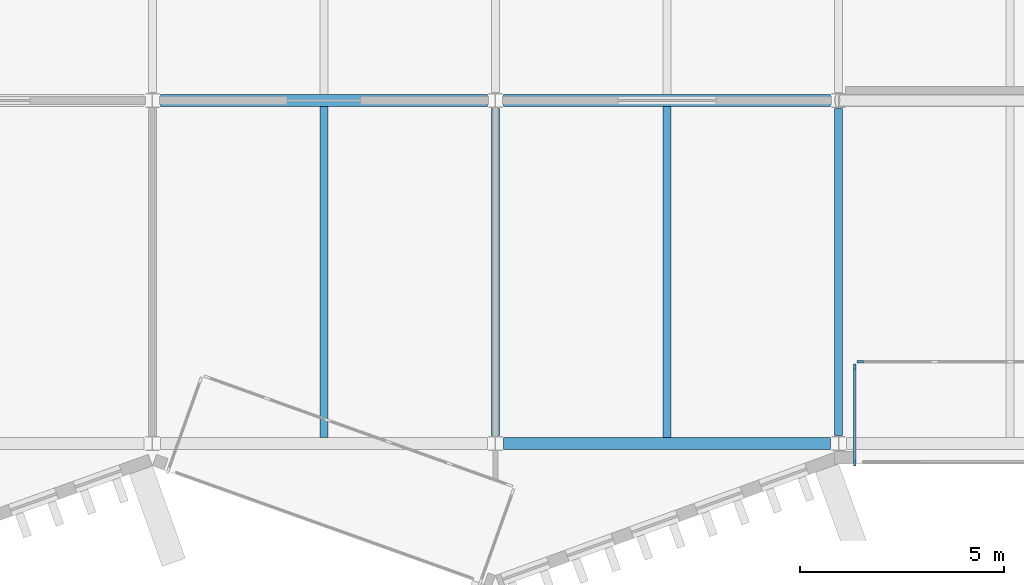
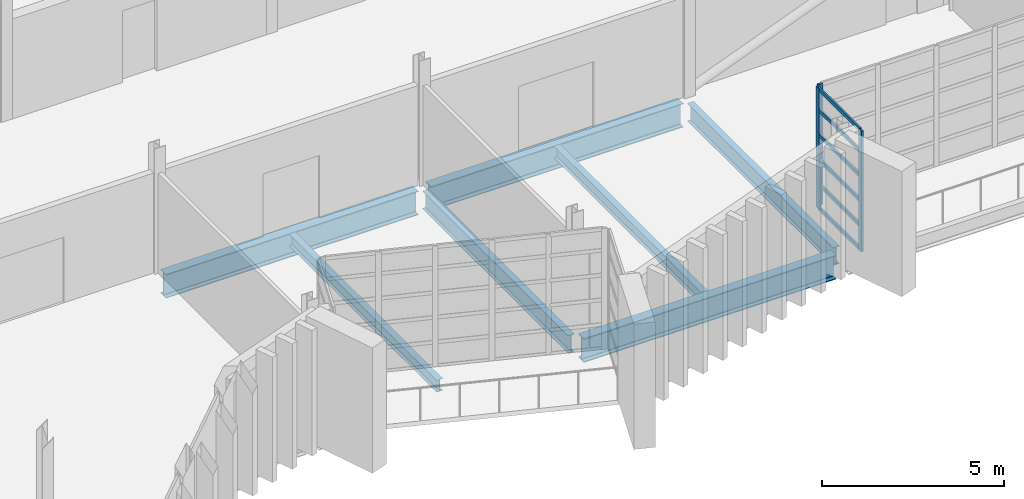
# One storey, part 28 of 96: 9 members, 7 beams, 2 elements without a shape of their own.
"""IFC4 building model written with IfcOpenShell, lengths in metres."""

from ifc_helpers import new_model, si_unit, direction, frame, origin, origin_2d, place, context, subcontext, project, spatial, rectangle, i_section, extrude, material, layer, layer_set, material_profile, profile_set, type_object, element, aggregate, save


model = new_model("IFC4")

# Units and contexts
model_context = context("Model", 3, precision=1e-05, world=origin(), true_north=direction((0.0, 1.0)))
body_context = subcontext(model_context, "Body", "Model", "MODEL_VIEW")
ifc_project = project(units=[si_unit("LENGTHUNIT", "METRE"), si_unit("AREAUNIT", "SQUARE_METRE"), si_unit("VOLUMEUNIT", "CUBIC_METRE"), si_unit("PLANEANGLEUNIT", "RADIAN"), si_unit("MASSUNIT", "GRAM", prefix="KILO")], contexts=[model_context])

# Site, building, storey
site_placement = place(None, origin())
site = spatial("IfcSite", under=ifc_project, at=site_placement, CompositionType="ELEMENT")
building_placement = place(site_placement, origin())
building = spatial("IfcBuilding", under=site, at=building_placement, Name="Cresset Court Congress Hotel", CompositionType="ELEMENT")
storey_placement = place(building_placement, frame((0.0, 0.0, 6.0)))
storey = spatial("IfcBuildingStorey", under=building, at=storey_placement, Name="L01", CompositionType="ELEMENT", Elevation=6.0)

# Curtain wall, member
ifc_material_1 = material(Name="Aluminium frame with double glazing", Category="aluminium")
ifc_layer = layer(ifc_material_1, 0.199951171875)
ifc_layer_set = layer_set([ifc_layer], Name="Glazed box curtain wall 1680 module")
curtain_wall_type = type_object("IfcCurtainWallType", Name="Glazed box curtain wall 1680 module", PredefinedType="NOTDEFINED", material=ifc_layer_set)
curtain_wall_1_placement = place(storey_placement, origin())
curtain_wall_1 = element("IfcCurtainWall", 1, at=curtain_wall_1_placement, inside=storey, type_object=curtain_wall_type, Name="Glazed box S0118 front", PredefinedType="NOTDEFINED")
ifc_material_2 = material(Name="Aluminium", Category="aluminium")
ifc_material_profile_1 = material_profile(ifc_material_2, rectangle(XDim=0.06005859375, YDim=0.159912109375, at=origin_2d()), Name="Box mullion 60x160")
ifc_profile_set_1 = profile_set([ifc_material_profile_1], Name="Aluminium")
member_type_1 = type_object("IfcMemberType", Name="Box mullion 60x160", PredefinedType="MULLION", material=ifc_profile_set_1)
member_1_placement = place(storey_placement, frame((134.929931640625, 2.0, 0.0), z_axis=(0.0, 0.0, 1.0), x_axis=(0.0, 1.0, 0.0)))
member_1 = element("IfcMember", 2, at=member_1_placement, type_object=member_type_1, Name="B-X1 mullion 1", PredefinedType="MULLION", context=body_context, shape_type="SweptSolid", body=[
    extrude(rectangle(XDim=0.06005859375, YDim=0.159912109375, at=origin_2d()), origin(), (0.0, 0.0, 1.0), 4.050048828125),
])
aggregate(curtain_wall_1, [member_1])

# Curtain wall, members
curtain_wall_2_placement = place(storey_placement, origin())
curtain_wall_2 = element("IfcCurtainWall", 3, at=curtain_wall_2_placement, inside=storey, type_object=curtain_wall_type, Name="Glazed box S0118 side", PredefinedType="NOTDEFINED")
member_2_placement = place(storey_placement, frame((134.800048828125, -0.469970703125, 0.0), z_axis=(0.0, 0.0, 1.0), x_axis=(-1.0, 0.0, 0.0)))
member_2 = element("IfcMember", 4, at=member_2_placement, type_object=member_type_1, Name="B-X1 mullion 1", PredefinedType="MULLION", context=body_context, shape_type="SweptSolid", body=[
    extrude(rectangle(XDim=0.06005859375, YDim=0.159912109375, at=origin_2d()), origin(), (0.0, 0.0, 1.0), 4.050048828125),
])
member_3_placement = place(storey_placement, frame((134.800048828125, 1.8701171875, 0.0), z_axis=(0.0, 0.0, 1.0), x_axis=(-1.0, 0.0, 0.0)))
member_3 = element("IfcMember", 5, at=member_3_placement, type_object=member_type_1, Name="B-X1 mullion 2", PredefinedType="MULLION", context=body_context, shape_type="SweptSolid", body=[
    extrude(rectangle(XDim=0.06005859375, YDim=0.159912109375, at=origin_2d()), origin(), (0.0, 0.0, 1.0), 4.050048828125),
])
ifc_material_3 = material(Name="Aluminium", Category="aluminium")
ifc_material_profile_2 = material_profile(ifc_material_3, rectangle(XDim=0.06005859375, YDim=0.1201171875, at=origin_2d()), Name="Box transom 60x120")
ifc_profile_set_2 = profile_set([ifc_material_profile_2], Name="Aluminium")
member_type_2 = type_object("IfcMemberType", Name="Box transom 60x120", PredefinedType="USERDEFINED", material=ifc_profile_set_2)
member_4_placement = place(storey_placement, frame((134.800048828125, -0.43994140625, 0.030029296875), z_axis=(0.0, 1.0, 0.0), x_axis=(-1.0, 0.0, 0.0)))
member_4 = element("IfcMember", 6, at=member_4_placement, type_object=member_type_2, Name="B-X1 transom 1.1", ObjectType="TRANSOM", PredefinedType="USERDEFINED", context=body_context, shape_type="SweptSolid", body=[
    extrude(rectangle(XDim=0.06005859375, YDim=0.1201171875, at=origin_2d()), origin(), (0.0, 0.0, 1.0), 2.280029296875),
])
member_5_placement = place(storey_placement, frame((134.800048828125, -0.43994140625, 0.830078125), z_axis=(0.0, 1.0, 0.0), x_axis=(-1.0, 0.0, 0.0)))
member_5 = element("IfcMember", 7, at=member_5_placement, type_object=member_type_2, Name="B-X1 transom 1.2", ObjectType="TRANSOM", PredefinedType="USERDEFINED", context=body_context, shape_type="SweptSolid", body=[
    extrude(rectangle(XDim=0.06005859375, YDim=0.1201171875, at=origin_2d()), origin(), (0.0, 0.0, 1.0), 2.280029296875),
])
member_6_placement = place(storey_placement, frame((134.800048828125, -0.43994140625, 1.659912109375), z_axis=(0.0, 1.0, 0.0), x_axis=(-1.0, 0.0, 0.0)))
member_6 = element("IfcMember", 8, at=member_6_placement, type_object=member_type_2, Name="B-X1 transom 1.3", ObjectType="TRANSOM", PredefinedType="USERDEFINED", context=body_context, shape_type="SweptSolid", body=[
    extrude(rectangle(XDim=0.06005859375, YDim=0.1201171875, at=origin_2d()), origin(), (0.0, 0.0, 1.0), 2.280029296875),
])
member_7_placement = place(storey_placement, frame((134.800048828125, -0.43994140625, 2.489990234375), z_axis=(0.0, 1.0, 0.0), x_axis=(-1.0, 0.0, 0.0)))
member_7 = element("IfcMember", 9, at=member_7_placement, type_object=member_type_2, Name="B-X1 transom 1.4", ObjectType="TRANSOM", PredefinedType="USERDEFINED", context=body_context, shape_type="SweptSolid", body=[
    extrude(rectangle(XDim=0.06005859375, YDim=0.1201171875, at=origin_2d()), origin(), (0.0, 0.0, 1.0), 2.280029296875),
])
member_8_placement = place(storey_placement, frame((134.800048828125, -0.43994140625, 3.320068359375), z_axis=(0.0, 1.0, 0.0), x_axis=(-1.0, 0.0, 0.0)))
member_8 = element("IfcMember", 10, at=member_8_placement, type_object=member_type_2, Name="B-X1 transom 1.5", ObjectType="TRANSOM", PredefinedType="USERDEFINED", context=body_context, shape_type="SweptSolid", body=[
    extrude(rectangle(XDim=0.06005859375, YDim=0.1201171875, at=origin_2d()), origin(), (0.0, 0.0, 1.0), 2.280029296875),
])
member_9_placement = place(storey_placement, frame((134.800048828125, -0.43994140625, 4.02001953125), z_axis=(0.0, 1.0, 0.0), x_axis=(-1.0, 0.0, 0.0)))
member_9 = element("IfcMember", 11, at=member_9_placement, type_object=member_type_2, Name="B-X1 transom 1.6", ObjectType="TRANSOM", PredefinedType="USERDEFINED", context=body_context, shape_type="SweptSolid", body=[
    extrude(rectangle(XDim=0.06005859375, YDim=0.1201171875, at=origin_2d()), origin(), (0.0, 0.0, 1.0), 2.280029296875),
])
aggregate(curtain_wall_2, [member_2, member_3, member_4, member_5, member_6, member_7, member_8, member_9])

# Beams
ifc_material_4 = material(Name="Structural steel Q355B", Category="steel")
ifc_material_profile_3 = material_profile(ifc_material_4, i_section(OverallWidth=0.199951171875, OverallDepth=0.60009765625, WebThickness=0.010986328125, FlangeThickness=0.01708984375, FilletRadius=0.012939453125, at=origin_2d()), Name="HN600x200x11x17")
ifc_profile_set_3 = profile_set([ifc_material_profile_3], Name="Structural steel Q355B")
beam_type_1 = type_object("IfcBeamType", Name="Steel beam HN600x200x11x17", PredefinedType="BEAM", material=ifc_profile_set_3)
for number, where, z_axis, x_axis, name in (
    (12, (126.0, 0.199951171875, -0.449951171875), (0.0, 1.0, 0.0), (-1.0, 0.0, 0.0), "B.by.L01.16A"),
    (13, (134.39990234375, 0.199951171875, -0.449951171875), (0.0, 1.0, 0.0), (-1.0, 0.0, 0.0), "B.by.L01.17A"),
):
    element("IfcBeam", number, at=place(storey_placement, frame(where, z_axis=z_axis, x_axis=x_axis)), inside=storey, type_object=beam_type_1, Name=name, PredefinedType="BEAM", context=body_context, shape_type="SweptSolid", body=[
        extrude(i_section(OverallWidth=0.199951171875, OverallDepth=0.60009765625, WebThickness=0.010986328125, FlangeThickness=0.01708984375, FilletRadius=0.012939453125, at=origin_2d()), origin(), (0.0, 0.0, 1.0), 8.0),
    ])
ifc_material_5 = material(Name="Structural steel Q355B", Category="steel")
ifc_material_profile_4 = material_profile(ifc_material_5, i_section(OverallWidth=0.300048828125, OverallDepth=0.800048828125, WebThickness=0.013916015625, FlangeThickness=0.02587890625, FilletRadius=0.01806640625, at=origin_2d()), Name="HN800x300x14x26")
ifc_profile_set_4 = profile_set([ifc_material_profile_4], Name="Structural steel Q355B")
beam_type_2 = type_object("IfcBeamType", Name="Steel beam HN800x300x14x26", PredefinedType="BEAM", material=ifc_profile_set_4)
for number, where, z_axis, x_axis, name in (
    (14, (126.199951171875, 0.0, -0.550048828125), (1.0, 0.0, 0.0), (0.0, 1.0, 0.0), "B.bx.L01.A16"),
    (15, (117.800048828125, 8.39990234375, -0.550048828125), (1.0, 0.0, 0.0), (0.0, 1.0, 0.0), "B.bx.L01.B15"),
    (16, (126.199951171875, 8.39990234375, -0.550048828125), (1.0, 0.0, 0.0), (0.0, 1.0, 0.0), "B.bx.L01.B16"),
):
    element("IfcBeam", number, at=place(storey_placement, frame(where, z_axis=z_axis, x_axis=x_axis)), inside=storey, type_object=beam_type_2, Name=name, PredefinedType="BEAM", context=body_context, shape_type="SweptSolid", body=[
        extrude(i_section(OverallWidth=0.300048828125, OverallDepth=0.800048828125, WebThickness=0.013916015625, FlangeThickness=0.02587890625, FilletRadius=0.01806640625, at=origin_2d()), origin(), (0.0, 0.0, 1.0), 8.0),
    ])
ifc_material_6 = material(Name="Structural steel Q355B", Category="steel")
ifc_material_profile_5 = material_profile(ifc_material_6, i_section(OverallWidth=0.199951171875, OverallDepth=0.39990234375, WebThickness=0.008056640625, FlangeThickness=0.012939453125, FilletRadius=0.01611328125, at=origin_2d()), Name="HN400x200x8x13")
ifc_profile_set_5 = profile_set([ifc_material_profile_5], Name="Structural steel Q355B")
beam_type_3 = type_object("IfcBeamType", Name="Steel joist HN400x200x8x13", PredefinedType="JOIST", material=ifc_profile_set_5)
for number, where, z_axis, x_axis, name in (
    (17, (121.800048828125, 0.14990234375, -0.35009765625), (0.0, 1.0, 0.0), (-1.0, 0.0, 0.0), "B.bj.L01.15A"),
    (18, (130.199951171875, 0.14990234375, -0.35009765625), (0.0, 1.0, 0.0), (-1.0, 0.0, 0.0), "B.bj.L01.16A"),
):
    element("IfcBeam", number, at=place(storey_placement, frame(where, z_axis=z_axis, x_axis=x_axis)), inside=storey, type_object=beam_type_3, Name=name, PredefinedType="JOIST", context=body_context, shape_type="SweptSolid", body=[
        extrude(i_section(OverallWidth=0.199951171875, OverallDepth=0.39990234375, WebThickness=0.008056640625, FlangeThickness=0.012939453125, FilletRadius=0.01611328125, at=origin_2d()), origin(), (0.0, 0.0, 1.0), 8.10009765625),
    ])

save(model, "model.ifc")
